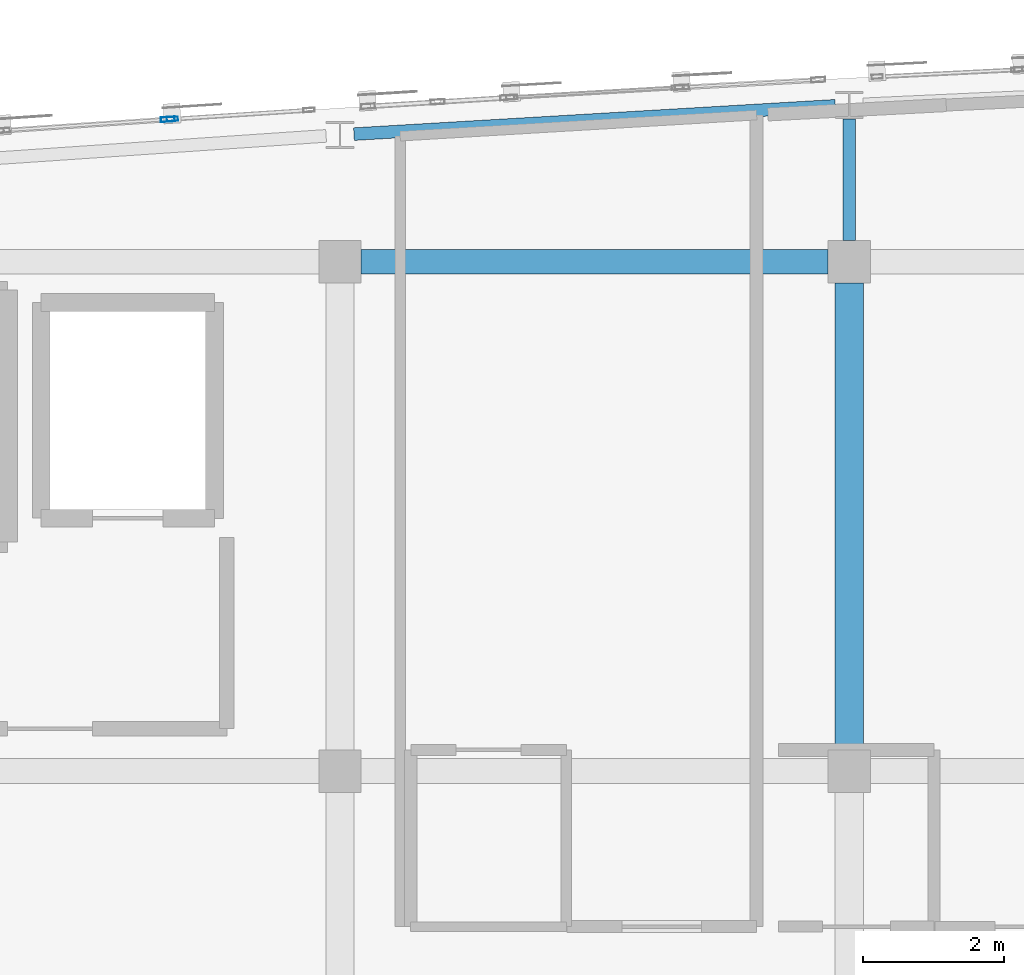
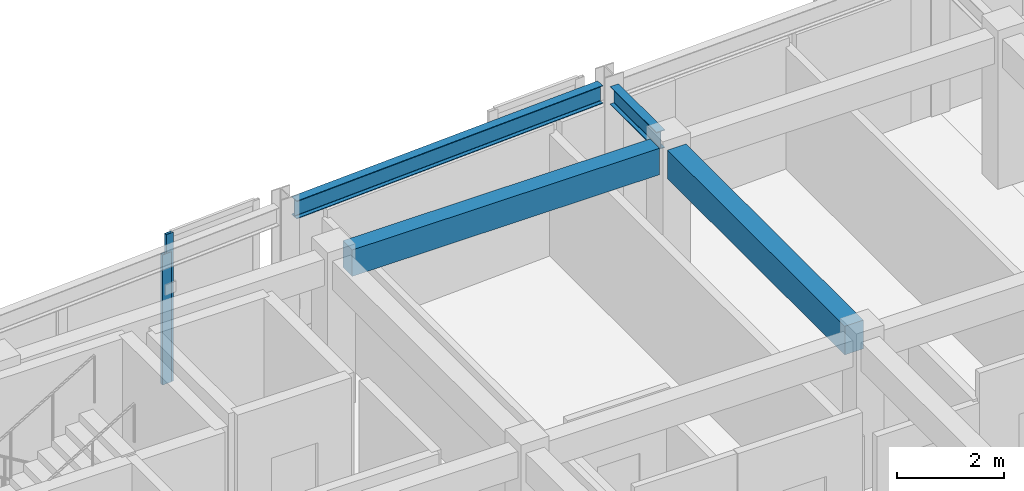
# One storey, part 10 of 41: 4 beams, 2 members, 2 elements without a shape of their own.
"""IFC4 building model written with IfcOpenShell, lengths in metres."""

from ifc_helpers import new_model, si_unit, direction, frame, origin, origin_2d, place, context, subcontext, project, spatial, rectangle, hollow_rectangle, i_section, extrude, material, layer, layer_set, material_profile, profile_set, type_object, element, aggregate, save


model = new_model("IFC4")

# Units and contexts
model_context = context("Model", 3, precision=1e-05, world=origin(), true_north=direction((0.0, 1.0)))
body_context = subcontext(model_context, "Body", "Model", "MODEL_VIEW")
ifc_project = project(units=[si_unit("LENGTHUNIT", "METRE"), si_unit("AREAUNIT", "SQUARE_METRE"), si_unit("VOLUMEUNIT", "CUBIC_METRE"), si_unit("PLANEANGLEUNIT", "RADIAN"), si_unit("MASSUNIT", "GRAM", prefix="KILO")], contexts=[model_context])

# Site, building, storey
site_placement = place(None, origin())
site = spatial("IfcSite", under=ifc_project, at=site_placement, CompositionType="ELEMENT")
building_placement = place(site_placement, origin())
building = spatial("IfcBuilding", under=site, at=building_placement, Name="Carrowvane Square Congress Hotel", CompositionType="ELEMENT")
storey_placement = place(building_placement, frame((0.0, 0.0, 37.199951171875)))
storey = spatial("IfcBuildingStorey", under=building, at=storey_placement, Name="L09", CompositionType="ELEMENT", Elevation=37.199951171875)

# Beams
ifc_material_1 = material(Name="Concrete C35/45", Category="concrete")
ifc_material_profile_1 = material_profile(ifc_material_1, rectangle(XDim=0.35009765625, YDim=0.60009765625, at=origin_2d()), Name="RC 350x600")
ifc_profile_set_1 = profile_set([ifc_material_profile_1], Name="Concrete C35/45")
beam_type_1 = type_object("IfcBeamType", Name="BM-RC-350x600", PredefinedType="BEAM", material=ifc_profile_set_1)
beam_1_placement = place(storey_placement, frame((69.5, 113.39990234375, 3.080078125), z_axis=(1.0, 0.0, 0.0), x_axis=(0.0, 1.0, 0.0)))
element("IfcBeam", 1, at=beam_1_placement, inside=storey, type_object=beam_type_1, Name="L10 girder R/9-10", PredefinedType="BEAM", context=body_context, shape_type="SweptSolid", body=[
    extrude(rectangle(XDim=0.35009765625, YDim=0.60009765625, at=origin_2d()), origin(), (0.0, 0.0, 1.0), 6.60009765625),
])
ifc_material_2 = material(Name="Concrete C35/45", Category="concrete")
ifc_material_profile_2 = material_profile(ifc_material_2, rectangle(XDim=0.39990234375, YDim=0.64990234375, at=origin_2d()), Name="RC 400x650")
ifc_profile_set_2 = profile_set([ifc_material_profile_2], Name="Concrete C35/45")
beam_type_2 = type_object("IfcBeamType", Name="BM-RC-400x650", PredefinedType="BEAM", material=ifc_profile_set_2)
beam_2_placement = place(storey_placement, frame((76.39990234375, 106.5, 3.054931640625), z_axis=(0.0, 1.0, 0.0), x_axis=(-1.0, 0.0, 0.0)))
element("IfcBeam", 2, at=beam_2_placement, inside=storey, type_object=beam_type_2, Name="L10 girder 10/Q-R", PredefinedType="BEAM", context=body_context, shape_type="SweptSolid", body=[
    extrude(rectangle(XDim=0.39990234375, YDim=0.64990234375, at=origin_2d()), origin(), (0.0, 0.0, 1.0), 6.60009765625),
])
ifc_material_3 = material(Name="Steel S355", Category="steel")
ifc_material_profile_3 = material_profile(ifc_material_3, i_section(OverallWidth=0.1787109375, OverallDepth=0.409423828125, WebThickness=0.0087890625, FlangeThickness=0.014404296875, FilletRadius=0.01025390625, at=origin_2d()), Name="UKB 406x178x67")
ifc_profile_set_3 = profile_set([ifc_material_profile_3], Name="Steel S355")
beam_type_3 = type_object("IfcBeamType", Name="BM-ST-UKB406", PredefinedType="BEAM", material=ifc_profile_set_3)
beam_3_placement = place(storey_placement, frame((69.39697265625, 115.205810546875, 3.17529296875), z_axis=(0.998276101502, 0.058692633008, 0.0), x_axis=(-0.058692633008, 0.998276101502, 0.0)))
element("IfcBeam", 3, at=beam_3_placement, inside=storey, type_object=beam_type_3, Name="L10 curved north spandrel", PredefinedType="BEAM", context=body_context, shape_type="SweptSolid", body=[
    extrude(i_section(OverallWidth=0.1787109375, OverallDepth=0.409423828125, WebThickness=0.0087890625, FlangeThickness=0.014404296875, FilletRadius=0.01025390625, at=origin_2d()), origin(), (0.0, 0.0, 1.0), 6.817626953125),
])
beam_4_placement = place(storey_placement, frame((76.39990234375, 113.699951171875, 3.17529296875), z_axis=(0.0, 1.0, 0.0), x_axis=(-1.0, 0.0, 0.0)))
element("IfcBeam", 4, at=beam_4_placement, inside=storey, type_object=beam_type_3, Name="L10 radial north beam 10", PredefinedType="BEAM", context=body_context, shape_type="SweptSolid", body=[
    extrude(i_section(OverallWidth=0.1787109375, OverallDepth=0.409423828125, WebThickness=0.0087890625, FlangeThickness=0.014404296875, FilletRadius=0.01025390625, at=origin_2d()), origin(), (0.0, 0.0, 1.0), 1.72021484375),
])

# Curtain wall, member
ifc_material_4 = material(Name="Anodised aluminium", Category="aluminium")
ifc_layer_1 = layer(ifc_material_4, 0.23388671875)
ifc_layer_set_1 = layer_set([ifc_layer_1], Name="Anodised aluminium")
curtain_wall_type_1 = type_object("IfcCurtainWallType", Name="CW-SYS-7", PredefinedType="NOTDEFINED", material=ifc_layer_set_1)
curtain_wall_1_placement = place(storey_placement, origin())
curtain_wall_1 = element("IfcCurtainWall", 5, at=curtain_wall_1_placement, inside=storey, type_object=curtain_wall_type_1, Name="L09 unitised curtain wall 518", PredefinedType="NOTDEFINED")
ifc_material_5 = material(Name="Anodised aluminium", Category="aluminium")
ifc_material_profile_4 = material_profile(ifc_material_5, hollow_rectangle(XDim=0.06005859375, YDim=0.159912109375, WallThickness=0.00390625, at=origin_2d()), Name="CW-ML 60x160x4")
ifc_profile_set_4 = profile_set([ifc_material_profile_4], Name="Anodised aluminium")
member_type_1 = type_object("IfcMemberType", Name="CW-MUL-1", PredefinedType="MULLION", material=ifc_profile_set_4)
member_1_placement = place(storey_placement, frame((66.829833984375, 115.4189453125, 0.0), z_axis=(0.0, 0.0, 1.0), x_axis=(-0.065412223074, 0.997858327155, 0.0)))
member_1 = element("IfcMember", 6, at=member_1_placement, type_object=member_type_1, Name="CW-7 mullion 1", PredefinedType="MULLION", context=body_context, shape_type="SweptSolid", body=[
    extrude(hollow_rectangle(XDim=0.06005859375, YDim=0.159912109375, WallThickness=0.00390625, at=origin_2d()), origin(), (0.0, 0.0, 1.0), 3.380126953125),
])
aggregate(curtain_wall_1, [member_1])

ifc_material_6 = material(Name="Anodised aluminium", Category="aluminium")
ifc_layer_2 = layer(ifc_material_6, 0.221923828125)
ifc_layer_set_2 = layer_set([ifc_layer_2], Name="Anodised aluminium")
curtain_wall_type_2 = type_object("IfcCurtainWallType", Name="CW-SYS-6", PredefinedType="NOTDEFINED", material=ifc_layer_set_2)
curtain_wall_2_placement = place(storey_placement, origin())
curtain_wall_2 = element("IfcCurtainWall", 7, at=curtain_wall_2_placement, inside=storey, type_object=curtain_wall_type_2, Name="L09 unitised curtain wall 517", PredefinedType="NOTDEFINED")
ifc_material_7 = material(Name="Anodised aluminium", Category="aluminium")
ifc_material_profile_5 = material_profile(ifc_material_7, hollow_rectangle(XDim=0.070068359375, YDim=0.199951171875, WallThickness=0.0048828125, at=origin_2d()), Name="CW-ML 70x200x5")
ifc_profile_set_5 = profile_set([ifc_material_profile_5], Name="Anodised aluminium")
member_type_2 = type_object("IfcMemberType", Name="CW-MUL-2", PredefinedType="MULLION", material=ifc_profile_set_5)
member_2_placement = place(storey_placement, frame((66.76513671875, 115.41455078125, 0.0), z_axis=(0.0, 0.0, 1.0), x_axis=(-0.067865424104, 0.997694484404, 0.0)))
member_2 = element("IfcMember", 8, at=member_2_placement, type_object=member_type_2, Name="CW-6 mullion 2", PredefinedType="MULLION", context=body_context, shape_type="SweptSolid", body=[
    extrude(hollow_rectangle(XDim=0.070068359375, YDim=0.199951171875, WallThickness=0.0048828125, at=origin_2d()), origin(), (0.0, 0.0, 1.0), 2.95556640625),
])
aggregate(curtain_wall_2, [member_2])

save(model, "model.ifc")
